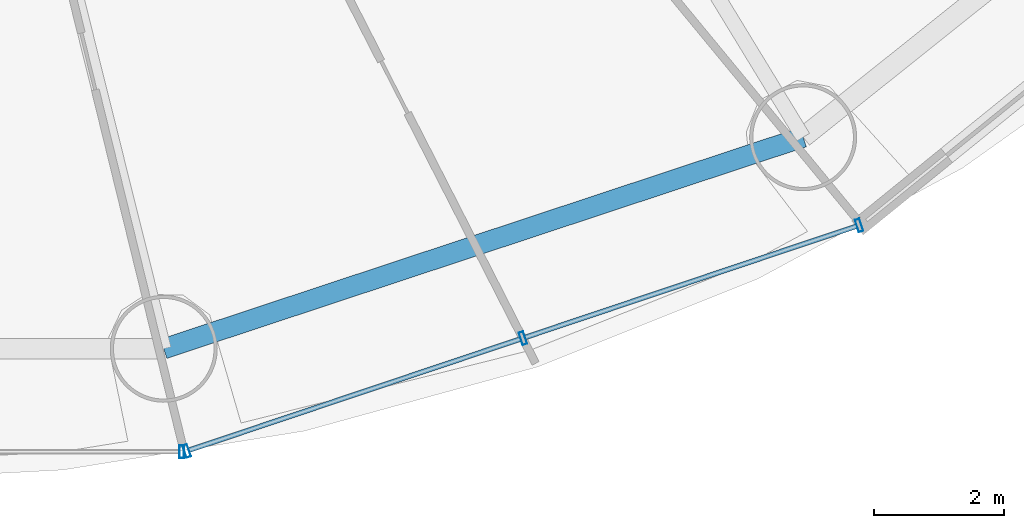
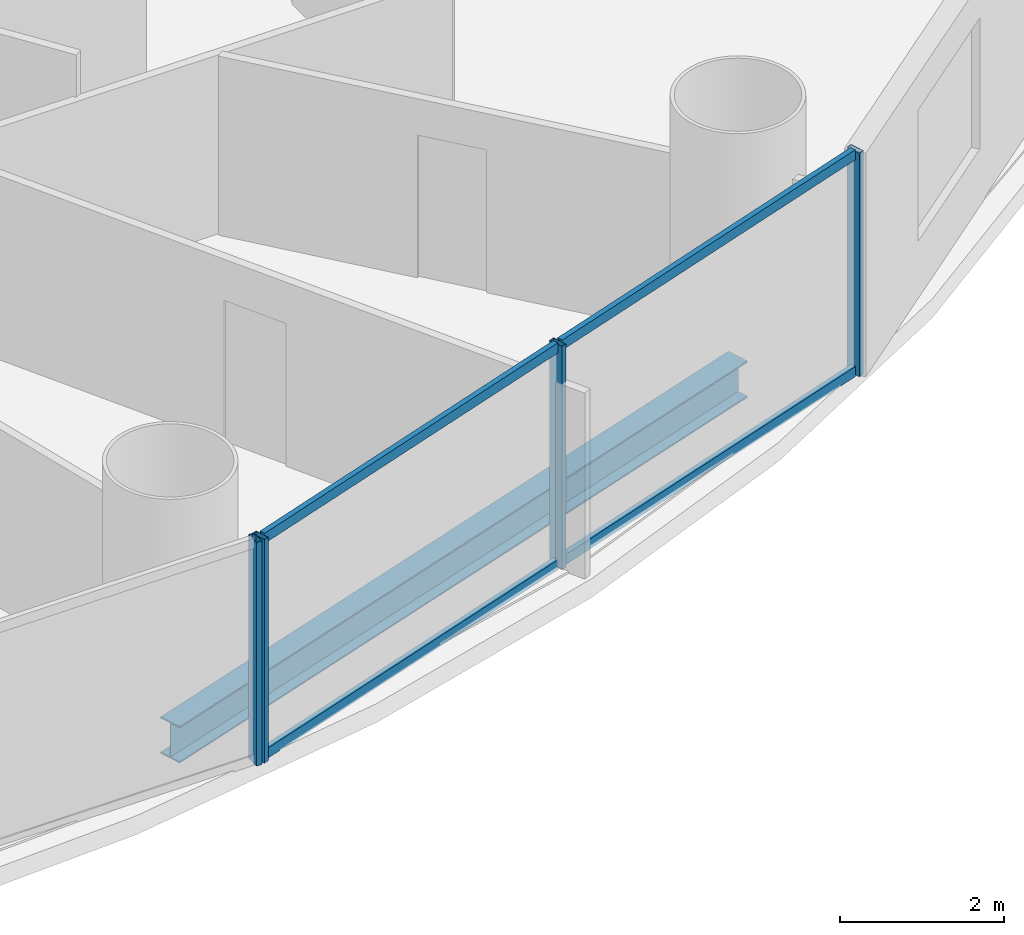
# One storey, part 11 of 30: 8 members, 1 beam, 2 elements without a shape of their own.
"""IFC4 building model written with IfcOpenShell, lengths in metres."""

import ifcopenshell
import ifcopenshell.guid

model = None  # the IFC model being written
_history = None  # IfcOwnerHistory: only IFC2X3 demands one
_inside = {}  # id of a spatial element -> (the spatial element, [elements in it])
_under = {}  # id of a project, library or spatial element -> (it, [spatial elements below it])
_declared = {}  # id of a project -> (the project, [libraries it declares])
_typed = {}  # id of a type object -> (the type object, [elements of that type])
_made_of = {}  # id of a material, layer set ... -> (it, [elements and type objects made of it])


def new_model(schema):
    """Start an empty IFC model of exactly this schema.

    Asked for "IFC4X3", IfcOpenShell would pick the latest addendum, in which some entities
    have other attributes; the version numbers below select the first issue.
    IFC2X3 requires an IfcOwnerHistory on every rooted entity: one is made here for all.
    """
    global model, _history
    if schema == "IFC4X3":
        model = ifcopenshell.file(schema_version=(4, 3, 0, 0))
    else:
        model = ifcopenshell.file(schema=schema)
    _inside.clear()
    _under.clear()
    _declared.clear()
    _typed.clear()
    _made_of.clear()
    _history = None
    if model.schema == "IFC2X3":
        org = make("IfcOrganization", Name="unknown")
        user = make(
            "IfcPersonAndOrganization",
            ThePerson=make("IfcPerson", FamilyName="unknown"),
            TheOrganization=org,
        )
        app = make(
            "IfcApplication",
            ApplicationDeveloper=org,
            Version="unknown",
            ApplicationFullName="unknown",
            ApplicationIdentifier="unknown",
        )
        _history = make(
            "IfcOwnerHistory",
            OwningUser=user,
            OwningApplication=app,
            ChangeAction="ADDED",
            CreationDate=0,
        )
    return model


def make(cls, **values):
    """One entity of the class cls with the attributes given. An attribute that is None is left unset."""
    return model.create_entity(
        cls, **{name: value for name, value in values.items() if value is not None}
    )


def rooted(cls, **values):
    """An entity with a GlobalId (a new one), such as an element, a storey or a relation."""
    return make(cls, GlobalId=ifcopenshell.guid.new(), OwnerHistory=_history, **values)


def si_unit(unit_type, name, prefix=None):
    """IfcSIUnit, for example si_unit("LENGTHUNIT", "METRE", prefix="MILLI")."""
    return make("IfcSIUnit", UnitType=unit_type, Prefix=prefix, Name=name)


def assignment(units):
    """IfcUnitAssignment: the units of a project."""
    return None if units is None else make("IfcUnitAssignment", Units=units)


def point(xyz):
    """IfcCartesianPoint."""
    return None if xyz is None else make("IfcCartesianPoint", Coordinates=xyz)


def direction(xyz):
    """IfcDirection."""
    return None if xyz is None else make("IfcDirection", DirectionRatios=xyz)


def frame(location, z_axis=None, x_axis=None):
    """IfcAxis2Placement3D, a coordinate frame: its origin and axes. An axis left out is left unset."""
    return make(
        "IfcAxis2Placement3D",
        Location=point(location),
        Axis=direction(z_axis),
        RefDirection=direction(x_axis),
    )


def frame_2d(location, x_axis=None):
    """IfcAxis2Placement2D, a coordinate frame in the plane: its origin and x axis."""
    return make(
        "IfcAxis2Placement2D", Location=point(location), RefDirection=direction(x_axis)
    )


def origin():
    """The frame at (0, 0, 0) with its axes left unset."""
    return frame((0.0, 0.0, 0.0))


def origin_2d():
    """The frame at (0, 0) in the plane with its x axis left unset."""
    return frame_2d((0.0, 0.0))


def place(relative_to, where):
    """IfcLocalPlacement: puts the frame where relative to a parent placement (None: the world)."""
    return make(
        "IfcLocalPlacement", PlacementRelTo=relative_to, RelativePlacement=where
    )


def context(
    kind, dimensions, precision=None, world=None, true_north=None, identifier=None
):
    """IfcGeometricRepresentationContext, for example the 3D "Model" context."""
    return make(
        "IfcGeometricRepresentationContext",
        ContextIdentifier=identifier,
        ContextType=kind,
        CoordinateSpaceDimension=dimensions,
        Precision=precision,
        WorldCoordinateSystem=world,
        TrueNorth=true_north,
    )


def subcontext(parent, identifier, kind, view, scale=None):
    """IfcGeometricRepresentationSubContext, for example "Body" below "Model"."""
    return make(
        "IfcGeometricRepresentationSubContext",
        ContextIdentifier=identifier,
        ContextType=kind,
        ParentContext=parent,
        TargetScale=scale,
        TargetView=view,
    )


def project(units=None, contexts=None):
    """IfcProject with its units and contexts."""
    return rooted(
        "IfcProject",
        Name="project",
        RepresentationContexts=contexts,
        UnitsInContext=assignment(units),
    )


def spatial(cls, under=None, at=None, **own):
    """A site, building, storey or space (cls), placed at a placement, below another one or the project."""
    s = rooted(cls, ObjectPlacement=at, **own)
    if under is not None:
        _under.setdefault(under.id(), (under, []))[1].append(s)
    return s


def profile(cls, at=None, kind="AREA", **sizes):
    """A parametric profile (cls). Its sizes go by their IFC names, for example OverallWidth=200.0."""
    return make(cls, ProfileType=kind, Position=at, **sizes)


def hollow_rectangle(**sizes):
    """IfcRectangleHollowProfileDef."""
    return profile("IfcRectangleHollowProfileDef", **sizes)


def i_section(**sizes):
    """IfcIShapeProfileDef."""
    return profile("IfcIShapeProfileDef", **sizes)


def extrude(swept, where, along, depth):
    """IfcExtrudedAreaSolid: the profile swept, set in the frame where, extruded along a direction by depth."""
    return make(
        "IfcExtrudedAreaSolid",
        SweptArea=swept,
        Position=where,
        ExtrudedDirection=direction(along),
        Depth=depth,
    )


def shape(context_of_items, identifier, shape_type, items):
    """IfcShapeRepresentation: the items that make up one representation, for example the "Body"."""
    return make(
        "IfcShapeRepresentation",
        ContextOfItems=context_of_items,
        RepresentationIdentifier=identifier,
        RepresentationType=shape_type,
        Items=items,
    )


def source(mapping_origin, context_of_items, identifier, shape_type, items):
    """IfcRepresentationMap: a shape defined once, which mapped items show again and again."""
    return make(
        "IfcRepresentationMap",
        MappingOrigin=mapping_origin,
        MappedRepresentation=shape(context_of_items, identifier, shape_type, items),
    )


def transform(
    local_origin,
    x_axis=None,
    y_axis=None,
    z_axis=None,
    scale=None,
    scale2=None,
    scale3=None,
    uniform=True,
):
    """IfcCartesianTransformationOperator3D, or its non-uniform kind. x_axis, y_axis, z_axis: its Axis1, 2, 3."""
    if uniform:
        return make(
            "IfcCartesianTransformationOperator3D",
            Axis1=direction(x_axis),
            Axis2=direction(y_axis),
            LocalOrigin=point(local_origin),
            Scale=scale,
            Axis3=direction(z_axis),
        )
    return make(
        "IfcCartesianTransformationOperator3DnonUniform",
        Axis1=direction(x_axis),
        Axis2=direction(y_axis),
        LocalOrigin=point(local_origin),
        Scale=scale,
        Axis3=direction(z_axis),
        Scale2=scale2,
        Scale3=scale3,
    )


def mapped(mapping_source, mapping_target):
    """IfcMappedItem: shows the shape of a source again, moved by a transform."""
    return make(
        "IfcMappedItem", MappingSource=mapping_source, MappingTarget=mapping_target
    )


def material(Name=None, Category=None):
    """IfcMaterial."""
    return make("IfcMaterial", Name=Name, Category=Category)


def material_profile(
    of_material, cross_section, Name=None, Category=None, Priority=None
):
    """IfcMaterialProfile: a cross section and its material."""
    return make(
        "IfcMaterialProfile",
        Name=Name,
        Material=of_material,
        Profile=cross_section,
        Priority=Priority,
        Category=Category,
    )


def profile_set(profiles, Name=None, composite=None):
    """IfcMaterialProfileSet."""
    return make(
        "IfcMaterialProfileSet",
        Name=Name,
        MaterialProfiles=profiles,
        CompositeProfile=composite,
    )


def made_of(thing, what):
    """Note that an element or type object is made of a material, layer set ...; save() writes the relation."""
    if what is not None:
        _made_of.setdefault(what.id(), (what, []))[1].append(thing)
    return thing


def type_object(cls, material=None, **own):
    """A type object (cls), such as IfcWallType, which elements share."""
    return made_of(rooted(cls, **own), material)


def element(
    cls,
    number,
    at=None,
    inside=None,
    cuts=None,
    type_object=None,
    material=None,
    context=None,
    identifier="Body",
    shape_type=None,
    held_by="IfcProductDefinitionShape",
    body=None,
    shapes=None,
    **own,
):
    """One element of the class cls, such as IfcWall. Its Tag is "e" and its number.

    at: its placement. inside: the storey or other place that contains it. cuts: it is an
    opening in that element (IfcRelVoidsElement). A single representation is given by context,
    identifier, shape_type and body (its items); several are given by shapes. held_by: the class
    of the entity that holds the representations. save() writes the other relations.
    """
    e = rooted(cls, Tag="e%d" % number, ObjectPlacement=at, **own)
    if body is not None:
        shapes = [shape(context, identifier, shape_type, body)]
    if shapes is not None:
        e.Representation = make(held_by, Representations=shapes)
    if inside is not None:
        _inside.setdefault(inside.id(), (inside, []))[1].append(e)
    if cuts is not None:
        rooted(
            "IfcRelVoidsElement", RelatingBuildingElement=cuts, RelatedOpeningElement=e
        )
    if type_object is not None:
        _typed.setdefault(type_object.id(), (type_object, []))[1].append(e)
    return made_of(e, material)


def aggregate(whole, parts):
    """IfcRelAggregates: a whole, such as a stair, and the parts it consists of."""
    return rooted("IfcRelAggregates", RelatingObject=whole, RelatedObjects=parts)


def save(model, path):
    """Write the relations noted so far, then the file.

    IfcRelAggregates (storeys below a building ...), IfcRelContainedInSpatialStructure (elements
    in a storey), IfcRelDefinesByType, IfcRelAssociatesMaterial and IfcRelDeclares: one each for
    every whole, place, type object, material and project.
    """
    for whole, parts in _under.values():
        aggregate(whole, parts)
    for where, things in _inside.values():
        rooted(
            "IfcRelContainedInSpatialStructure",
            RelatedElements=things,
            RelatingStructure=where,
        )
    for kind, things in _typed.values():
        rooted("IfcRelDefinesByType", RelatedObjects=things, RelatingType=kind)
    for what, things in _made_of.values():
        rooted("IfcRelAssociatesMaterial", RelatedObjects=things, RelatingMaterial=what)
    for by, libraries in _declared.values():
        rooted("IfcRelDeclares", RelatingContext=by, RelatedDefinitions=libraries)
    model.write(path)


model = new_model("IFC4")

# Units and contexts
model_context = context("Model", 3, precision=1e-05, world=origin(), true_north=direction((-0.2419218956, 0.970295726276)))
body_context = subcontext(model_context, "Body", "Model", "MODEL_VIEW")
ifc_project = project(units=[si_unit("LENGTHUNIT", "METRE"), si_unit("AREAUNIT", "SQUARE_METRE"), si_unit("VOLUMEUNIT", "CUBIC_METRE"), si_unit("PLANEANGLEUNIT", "RADIAN"), si_unit("MASSUNIT", "GRAM", prefix="KILO")], contexts=[model_context])

# Site, building, storey
site_placement = place(None, origin())
site = spatial("IfcSite", under=ifc_project, at=site_placement, CompositionType="ELEMENT")
building_placement = place(site_placement, origin())
building = spatial("IfcBuilding", under=site, at=building_placement, Name="Cobrevalo Terracotta Tower", CompositionType="ELEMENT")
storey_placement = place(building_placement, frame((0.0, 0.0, 60.0)))
storey = spatial("IfcBuildingStorey", under=building, at=storey_placement, Name="L15", CompositionType="ELEMENT", Elevation=60.0)

# Beam
ifc_material_1 = material(Name="Steel S355", Category="steel")
ifc_material_profile_1 = material_profile(ifc_material_1, i_section(OverallWidth=0.31201171875, OverallDepth=0.54296875, WebThickness=0.0126953125, FlangeThickness=0.020263671875, at=origin_2d()), Name="W 530x150")
ifc_profile_set_1 = profile_set([ifc_material_profile_1], Name="Steel S355")
beam_type = type_object("IfcBeamType", Name="Structural Spandrel W 530x150 (Steel S355)", PredefinedType="SPANDREL", material=ifc_profile_set_1)
beam_placement = place(storey_placement, frame((43.335693359375, 5.369873046875, -0.551513671875), z_axis=(0.949372202648, 0.314153498848, 0.0), x_axis=(-0.314153498848, 0.949372202648, 0.0)))
element("IfcBeam", 1, at=beam_placement, inside=storey, type_object=beam_type, Name="L15 perimeter ring spandrel 13", PredefinedType="SPANDREL", context=body_context, shape_type="SweptSolid", body=[
    extrude(i_section(OverallWidth=0.31201171875, OverallDepth=0.54296875, WebThickness=0.0126953125, FlangeThickness=0.020263671875, at=origin_2d()), origin(), (0.0, 0.0, 1.0), 10.385009765625),
])

# Curtain wall, member
ifc_material_2 = material(Name="Anodized aluminium", Category="aluminium")
curtain_wall_type = type_object("IfcCurtainWallType", Name="Lower-tower unitised acoustic low-E curtain wall CW-U1", PredefinedType="NOTDEFINED", material=ifc_material_2)
curtain_wall_1_placement = place(storey_placement, origin())
curtain_wall_1 = element("IfcCurtainWall", 2, at=curtain_wall_1_placement, inside=storey, type_object=curtain_wall_type, Name="L15 curtain wall CW-L15-S12", PredefinedType="NOTDEFINED")
ifc_material_profile_2 = material_profile(ifc_material_2, hollow_rectangle(XDim=0.074951171875, YDim=0.199951171875, WallThickness=0.0048828125, at=origin_2d()), Name="CWM 75x200")
ifc_profile_set_2 = profile_set([ifc_material_profile_2], Name="Anodized aluminium")
member_type_1 = type_object("IfcMemberType", Name="Lower/mid tower unitised mullion 75x200", PredefinedType="MULLION", material=ifc_profile_set_2)
shared_shape_1 = source(origin(), body_context, "Body", "SweptSolid", [
    extrude(hollow_rectangle(XDim=0.074951171875, YDim=0.199951171875, WallThickness=0.0048828125, at=origin_2d()), origin(), (0.0, 0.0, 1.0), 3.320068359375),
])
member_1_placement = place(storey_placement, frame((43.61181640625, 3.781005859375, 0.0), z_axis=(0.0, 0.0, 1.0), x_axis=(1.0, 0.0, 0.0)))
member_1 = element("IfcMember", 3, at=member_1_placement, type_object=member_type_1, Name="CW-L15-S12 vertical mullion 03", PredefinedType="MULLION", context=body_context, shape_type="MappedRepresentation", body=[
    mapped(shared_shape_1, transform((0.0, 0.0, 0.0), scale=1.0)),
])
aggregate(curtain_wall_1, [member_1])

# Curtain wall, members
curtain_wall_2_placement = place(storey_placement, origin())
curtain_wall_2 = element("IfcCurtainWall", 4, at=curtain_wall_2_placement, inside=storey, type_object=curtain_wall_type, Name="L15 curtain wall CW-L15-S13", PredefinedType="NOTDEFINED")
member_2_placement = place(storey_placement, frame((43.689697265625, 3.793701171875, 0.0), z_axis=(0.0, 0.0, 1.0), x_axis=(0.948046393597, 0.318132103987, 0.0)))
member_2 = element("IfcMember", 5, at=member_2_placement, type_object=member_type_1, Name="CW-L15-S13 vertical mullion 01", PredefinedType="MULLION", context=body_context, shape_type="MappedRepresentation", body=[
    mapped(shared_shape_1, transform((0.0, 0.0, 0.0), scale=1.0)),
])
member_3_placement = place(storey_placement, frame((48.873291015625, 5.533203125, 0.0), z_axis=(0.0, 0.0, 1.0), x_axis=(0.948046393597, 0.318132103987, 0.0)))
member_3 = element("IfcMember", 6, at=member_3_placement, type_object=member_type_1, Name="CW-L15-S13 vertical mullion 02", PredefinedType="MULLION", context=body_context, shape_type="MappedRepresentation", body=[
    mapped(shared_shape_1, transform((0.0, 0.0, 0.0), scale=1.0)),
])
member_4_placement = place(storey_placement, frame((54.056884765625, 7.272705078125, 0.0), z_axis=(0.0, 0.0, 1.0), x_axis=(0.948046393597, 0.318132103987, 0.0)))
member_4 = element("IfcMember", 7, at=member_4_placement, type_object=member_type_1, Name="CW-L15-S13 vertical mullion 03", PredefinedType="MULLION", context=body_context, shape_type="MappedRepresentation", body=[
    mapped(shared_shape_1, transform((0.0, 0.0, 0.0), scale=1.0)),
])
ifc_material_profile_3 = material_profile(ifc_material_2, hollow_rectangle(XDim=0.074951171875, YDim=0.14990234375, WallThickness=0.00439453125, at=origin_2d()), Name="CWT 75x150")
ifc_profile_set_3 = profile_set([ifc_material_profile_3], Name="Anodized aluminium")
member_type_2 = type_object("IfcMemberType", Name="Tower unitised aluminium transom 75x150", PredefinedType="USERDEFINED", material=ifc_profile_set_3)
shared_shape_2 = source(origin(), body_context, "Body", "SweptSolid", [
    extrude(hollow_rectangle(XDim=0.074951171875, YDim=0.14990234375, WallThickness=0.00439453125, at=origin_2d()), origin(), (0.0, 0.0, 1.0), 5.387939453125),
])
member_5_placement = place(storey_placement, frame((43.7275390625, 3.806396484375, 0.050048828125), z_axis=(0.94804244582, 0.318143868278, 0.0), x_axis=(-0.318143868278, 0.94804244582, 0.0)))
member_5 = element("IfcMember", 8, at=member_5_placement, type_object=member_type_2, Name="CW-L15-S13 transom B01-T1", ObjectType="TRANSOM", PredefinedType="USERDEFINED", context=body_context, shape_type="MappedRepresentation", body=[
    mapped(shared_shape_2, transform((0.0, 0.0, 0.0), scale=1.0)),
])
member_6_placement = place(storey_placement, frame((43.7275390625, 3.806396484375, 3.27001953125), z_axis=(0.94804244582, 0.318143868278, 0.0), x_axis=(-0.318143868278, 0.94804244582, 0.0)))
member_6 = element("IfcMember", 9, at=member_6_placement, type_object=member_type_2, Name="CW-L15-S13 transom B01-T2", ObjectType="TRANSOM", PredefinedType="USERDEFINED", context=body_context, shape_type="MappedRepresentation", body=[
    mapped(shared_shape_2, transform((0.0, 0.0, 0.0), scale=1.0)),
])
member_7_placement = place(storey_placement, frame((48.9111328125, 5.5458984375, 0.050048828125), z_axis=(0.94804244582, 0.318143868278, 0.0), x_axis=(-0.318143868278, 0.94804244582, 0.0)))
member_7 = element("IfcMember", 10, at=member_7_placement, type_object=member_type_2, Name="CW-L15-S13 transom B02-T1", ObjectType="TRANSOM", PredefinedType="USERDEFINED", context=body_context, shape_type="MappedRepresentation", body=[
    mapped(shared_shape_2, transform((0.0, 0.0, 0.0), scale=1.0)),
])
member_8_placement = place(storey_placement, frame((48.9111328125, 5.5458984375, 3.27001953125), z_axis=(0.94804244582, 0.318143868278, 0.0), x_axis=(-0.318143868278, 0.94804244582, 0.0)))
member_8 = element("IfcMember", 11, at=member_8_placement, type_object=member_type_2, Name="CW-L15-S13 transom B02-T2", ObjectType="TRANSOM", PredefinedType="USERDEFINED", context=body_context, shape_type="MappedRepresentation", body=[
    mapped(shared_shape_2, transform((0.0, 0.0, 0.0), scale=1.0)),
])
aggregate(curtain_wall_2, [member_2, member_3, member_4, member_5, member_6, member_7, member_8])

save(model, "model.ifc")
